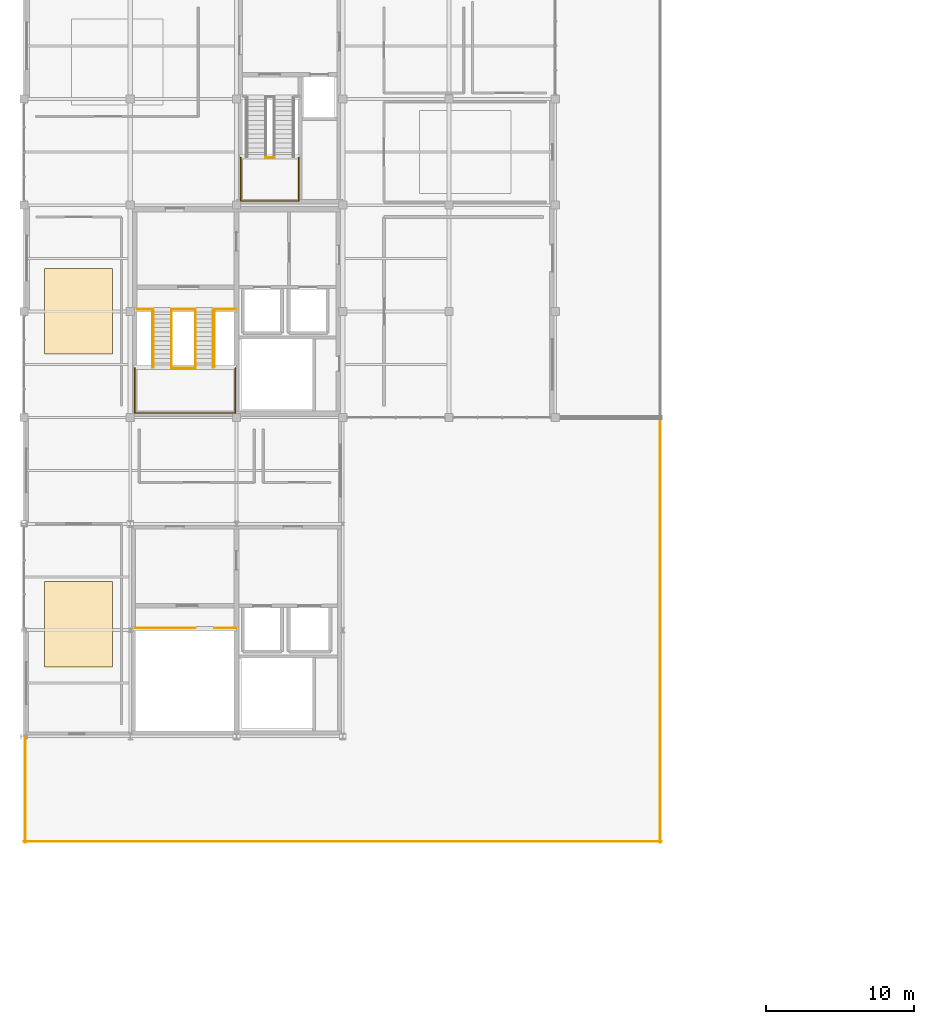
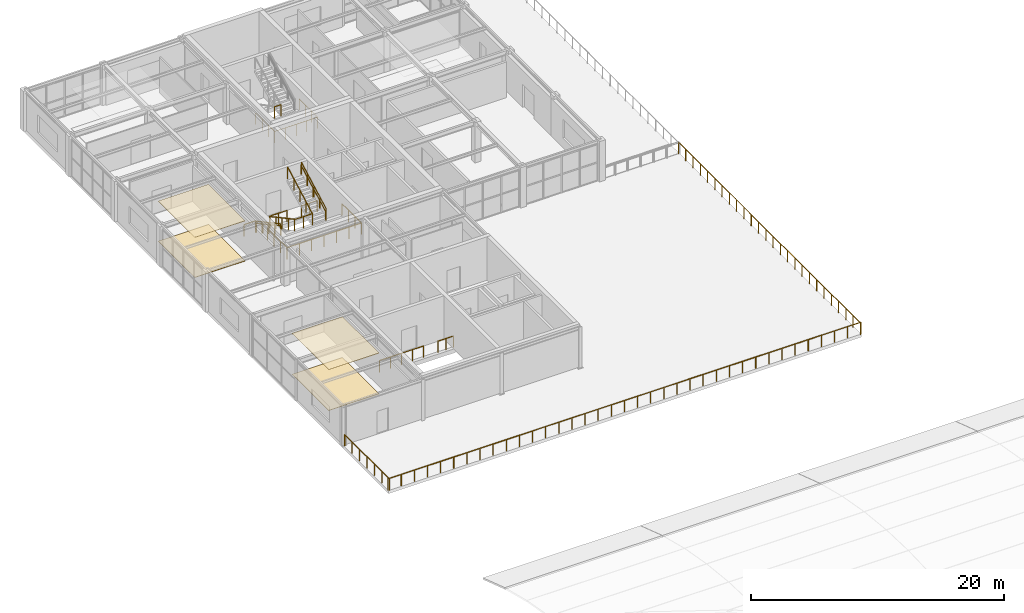
# One storey, part 27 of 30: 18 railings, 4 coverings.
"""IFC4 building model written with IfcOpenShell, lengths in metres."""

import ifcopenshell
import ifcopenshell.guid

model = None  # the IFC model being written
_history = None  # IfcOwnerHistory: only IFC2X3 demands one
_inside = {}  # id of a spatial element -> (the spatial element, [elements in it])
_under = {}  # id of a project, library or spatial element -> (it, [spatial elements below it])
_declared = {}  # id of a project -> (the project, [libraries it declares])
_typed = {}  # id of a type object -> (the type object, [elements of that type])
_made_of = {}  # id of a material, layer set ... -> (it, [elements and type objects made of it])


def new_model(schema):
    """Start an empty IFC model of exactly this schema.

    Asked for "IFC4X3", IfcOpenShell would pick the latest addendum, in which some entities
    have other attributes; the version numbers below select the first issue.
    IFC2X3 requires an IfcOwnerHistory on every rooted entity: one is made here for all.
    """
    global model, _history
    if schema == "IFC4X3":
        model = ifcopenshell.file(schema_version=(4, 3, 0, 0))
    else:
        model = ifcopenshell.file(schema=schema)
    _inside.clear()
    _under.clear()
    _declared.clear()
    _typed.clear()
    _made_of.clear()
    _history = None
    if model.schema == "IFC2X3":
        org = make("IfcOrganization", Name="unknown")
        user = make(
            "IfcPersonAndOrganization",
            ThePerson=make("IfcPerson", FamilyName="unknown"),
            TheOrganization=org,
        )
        app = make(
            "IfcApplication",
            ApplicationDeveloper=org,
            Version="unknown",
            ApplicationFullName="unknown",
            ApplicationIdentifier="unknown",
        )
        _history = make(
            "IfcOwnerHistory",
            OwningUser=user,
            OwningApplication=app,
            ChangeAction="ADDED",
            CreationDate=0,
        )
    return model


def make(cls, **values):
    """One entity of the class cls with the attributes given. An attribute that is None is left unset."""
    return model.create_entity(
        cls, **{name: value for name, value in values.items() if value is not None}
    )


def rooted(cls, **values):
    """An entity with a GlobalId (a new one), such as an element, a storey or a relation."""
    return make(cls, GlobalId=ifcopenshell.guid.new(), OwnerHistory=_history, **values)


def si_unit(unit_type, name, prefix=None):
    """IfcSIUnit, for example si_unit("LENGTHUNIT", "METRE", prefix="MILLI")."""
    return make("IfcSIUnit", UnitType=unit_type, Prefix=prefix, Name=name)


def assignment(units):
    """IfcUnitAssignment: the units of a project."""
    return None if units is None else make("IfcUnitAssignment", Units=units)


def point(xyz):
    """IfcCartesianPoint."""
    return None if xyz is None else make("IfcCartesianPoint", Coordinates=xyz)


def direction(xyz):
    """IfcDirection."""
    return None if xyz is None else make("IfcDirection", DirectionRatios=xyz)


def frame(location, z_axis=None, x_axis=None):
    """IfcAxis2Placement3D, a coordinate frame: its origin and axes. An axis left out is left unset."""
    return make(
        "IfcAxis2Placement3D",
        Location=point(location),
        Axis=direction(z_axis),
        RefDirection=direction(x_axis),
    )


def frame_2d(location, x_axis=None):
    """IfcAxis2Placement2D, a coordinate frame in the plane: its origin and x axis."""
    return make(
        "IfcAxis2Placement2D", Location=point(location), RefDirection=direction(x_axis)
    )


def origin():
    """The frame at (0, 0, 0) with its axes left unset."""
    return frame((0.0, 0.0, 0.0))


def origin_2d():
    """The frame at (0, 0) in the plane with its x axis left unset."""
    return frame_2d((0.0, 0.0))


def place(relative_to, where):
    """IfcLocalPlacement: puts the frame where relative to a parent placement (None: the world)."""
    return make(
        "IfcLocalPlacement", PlacementRelTo=relative_to, RelativePlacement=where
    )


def context(
    kind, dimensions, precision=None, world=None, true_north=None, identifier=None
):
    """IfcGeometricRepresentationContext, for example the 3D "Model" context."""
    return make(
        "IfcGeometricRepresentationContext",
        ContextIdentifier=identifier,
        ContextType=kind,
        CoordinateSpaceDimension=dimensions,
        Precision=precision,
        WorldCoordinateSystem=world,
        TrueNorth=true_north,
    )


def subcontext(parent, identifier, kind, view, scale=None):
    """IfcGeometricRepresentationSubContext, for example "Body" below "Model"."""
    return make(
        "IfcGeometricRepresentationSubContext",
        ContextIdentifier=identifier,
        ContextType=kind,
        ParentContext=parent,
        TargetScale=scale,
        TargetView=view,
    )


def project(units=None, contexts=None):
    """IfcProject with its units and contexts."""
    return rooted(
        "IfcProject",
        Name="project",
        RepresentationContexts=contexts,
        UnitsInContext=assignment(units),
    )


def spatial(cls, under=None, at=None, **own):
    """A site, building, storey or space (cls), placed at a placement, below another one or the project."""
    s = rooted(cls, ObjectPlacement=at, **own)
    if under is not None:
        _under.setdefault(under.id(), (under, []))[1].append(s)
    return s


def profile(cls, at=None, kind="AREA", **sizes):
    """A parametric profile (cls). Its sizes go by their IFC names, for example OverallWidth=200.0."""
    return make(cls, ProfileType=kind, Position=at, **sizes)


def rectangle(**sizes):
    """IfcRectangleProfileDef."""
    return profile("IfcRectangleProfileDef", **sizes)


def circle(**sizes):
    """IfcCircleProfileDef."""
    return profile("IfcCircleProfileDef", **sizes)


def extrude(swept, where, along, depth):
    """IfcExtrudedAreaSolid: the profile swept, set in the frame where, extruded along a direction by depth."""
    return make(
        "IfcExtrudedAreaSolid",
        SweptArea=swept,
        Position=where,
        ExtrudedDirection=direction(along),
        Depth=depth,
    )


def shape(context_of_items, identifier, shape_type, items):
    """IfcShapeRepresentation: the items that make up one representation, for example the "Body"."""
    return make(
        "IfcShapeRepresentation",
        ContextOfItems=context_of_items,
        RepresentationIdentifier=identifier,
        RepresentationType=shape_type,
        Items=items,
    )


def material(Name=None, Category=None):
    """IfcMaterial."""
    return make("IfcMaterial", Name=Name, Category=Category)


def layer(
    of_material, thickness, ventilated=None, Name=None, Category=None, Priority=None
):
    """IfcMaterialLayer: one layer of a wall or slab, of a material (None: an air gap)."""
    return make(
        "IfcMaterialLayer",
        Material=of_material,
        LayerThickness=thickness,
        IsVentilated=ventilated,
        Name=Name,
        Category=Category,
        Priority=Priority,
    )


def layer_set(layers, Name=None):
    """IfcMaterialLayerSet."""
    return make("IfcMaterialLayerSet", MaterialLayers=layers, LayerSetName=Name)


def made_of(thing, what):
    """Note that an element or type object is made of a material, layer set ...; save() writes the relation."""
    if what is not None:
        _made_of.setdefault(what.id(), (what, []))[1].append(thing)
    return thing


def type_object(cls, material=None, **own):
    """A type object (cls), such as IfcWallType, which elements share."""
    return made_of(rooted(cls, **own), material)


def element(
    cls,
    number,
    at=None,
    inside=None,
    cuts=None,
    type_object=None,
    material=None,
    context=None,
    identifier="Body",
    shape_type=None,
    held_by="IfcProductDefinitionShape",
    body=None,
    shapes=None,
    **own,
):
    """One element of the class cls, such as IfcWall. Its Tag is "e" and its number.

    at: its placement. inside: the storey or other place that contains it. cuts: it is an
    opening in that element (IfcRelVoidsElement). A single representation is given by context,
    identifier, shape_type and body (its items); several are given by shapes. held_by: the class
    of the entity that holds the representations. save() writes the other relations.
    """
    e = rooted(cls, Tag="e%d" % number, ObjectPlacement=at, **own)
    if body is not None:
        shapes = [shape(context, identifier, shape_type, body)]
    if shapes is not None:
        e.Representation = make(held_by, Representations=shapes)
    if inside is not None:
        _inside.setdefault(inside.id(), (inside, []))[1].append(e)
    if cuts is not None:
        rooted(
            "IfcRelVoidsElement", RelatingBuildingElement=cuts, RelatedOpeningElement=e
        )
    if type_object is not None:
        _typed.setdefault(type_object.id(), (type_object, []))[1].append(e)
    return made_of(e, material)


def aggregate(whole, parts):
    """IfcRelAggregates: a whole, such as a stair, and the parts it consists of."""
    return rooted("IfcRelAggregates", RelatingObject=whole, RelatedObjects=parts)


def save(model, path):
    """Write the relations noted so far, then the file.

    IfcRelAggregates (storeys below a building ...), IfcRelContainedInSpatialStructure (elements
    in a storey), IfcRelDefinesByType, IfcRelAssociatesMaterial and IfcRelDeclares: one each for
    every whole, place, type object, material and project.
    """
    for whole, parts in _under.values():
        aggregate(whole, parts)
    for where, things in _inside.values():
        rooted(
            "IfcRelContainedInSpatialStructure",
            RelatedElements=things,
            RelatingStructure=where,
        )
    for kind, things in _typed.values():
        rooted("IfcRelDefinesByType", RelatedObjects=things, RelatingType=kind)
    for what, things in _made_of.values():
        rooted("IfcRelAssociatesMaterial", RelatedObjects=things, RelatingMaterial=what)
    for by, libraries in _declared.values():
        rooted("IfcRelDeclares", RelatingContext=by, RelatedDefinitions=libraries)
    model.write(path)


model = new_model("IFC4")

# Units and contexts
model_context = context("Model", 3, precision=1e-05, world=origin(), true_north=direction((0.0, 1.0)))
body_context = subcontext(model_context, "Body", "Model", "MODEL_VIEW")
ifc_project = project(units=[si_unit("LENGTHUNIT", "METRE"), si_unit("AREAUNIT", "SQUARE_METRE"), si_unit("VOLUMEUNIT", "CUBIC_METRE"), si_unit("PLANEANGLEUNIT", "RADIAN"), si_unit("MASSUNIT", "GRAM", prefix="KILO")], contexts=[model_context])

# Site, building, storey
site_placement = place(None, origin())
site = spatial("IfcSite", under=ifc_project, at=site_placement, CompositionType="ELEMENT")
building_placement = place(site_placement, origin())
building = spatial("IfcBuilding", under=site, at=building_placement, Name="Leyfeld Transit Interchange", CompositionType="ELEMENT")
storey_placement = place(building_placement, frame((0.0, 0.0, 13.800048828125)))
storey = spatial("IfcBuildingStorey", under=building, at=storey_placement, Name="L03", CompositionType="ELEMENT", Elevation=13.800048828125)

# Coverings
ifc_material_1 = material(Name="Austrian larch acoustic slat ceiling", Category="wood")
ifc_layer_1 = layer(ifc_material_1, 0.0400390625, Name="Austrian larch acoustic slat ceiling")
ifc_layer_set_1 = layer_set([ifc_layer_1], Name="Austrian larch acoustic slat ceiling")
covering_type_1 = type_object("IfcCoveringType", Name="COV-CLG-LRC", PredefinedType="CEILING", material=ifc_layer_set_1)
for number, where, z_axis, x_axis, name in (
    (1, (3.699951171875, 79.60009765625, 3.94482421875), (0.0, 0.0, 1.0), (1.0, 0.0, 0.0), "Acoustic Slat Ceiling Cycle Garden Conservatory Lounge"),
    (2, (3.699951171875, 100.800048828125, 3.864990234375), (0.0, 0.0, 1.0), (1.0, 0.0, 0.0), "Acoustic Slat Ceiling Incident Gold-Command Briefing Room"),
):
    element("IfcCovering", number, at=place(storey_placement, frame(where, z_axis=z_axis, x_axis=x_axis)), inside=storey, type_object=covering_type_1, Name=name, PredefinedType="CEILING", context=body_context, shape_type="SweptSolid", body=[
        extrude(rectangle(XDim=4.60009765625, YDim=5.800048828125, at=origin_2d()), origin(), (0.0, 0.0, 1.0), 0.0400390625),
    ])
ifc_material_2 = material(Name="Polished Danube terrazzo flooring", Category="stone")
ifc_layer_2 = layer(ifc_material_2, 0.030029296875, Name="Polished Danube terrazzo flooring")
ifc_layer_set_2 = layer_set([ifc_layer_2], Name="Polished Danube terrazzo flooring")
covering_type_2 = type_object("IfcCoveringType", Name="COV-FLR-TRZ", PredefinedType="FLOORING", material=ifc_layer_set_2)
for number, where, z_axis, x_axis, name in (
    (3, (3.699951171875, 79.60009765625, 0.0), (0.0, 0.0, 1.0), (1.0, 0.0, 0.0), "Terrazzo Flooring Cycle Garden Conservatory Lounge"),
    (4, (3.699951171875, 100.800048828125, 0.0), (0.0, 0.0, 1.0), (1.0, 0.0, 0.0), "Terrazzo Flooring Incident Gold-Command Briefing Room"),
):
    element("IfcCovering", number, at=place(storey_placement, frame(where, z_axis=z_axis, x_axis=x_axis)), inside=storey, type_object=covering_type_2, Name=name, PredefinedType="FLOORING", context=body_context, shape_type="SweptSolid", body=[
        extrude(rectangle(XDim=4.60009765625, YDim=5.800048828125, at=origin_2d()), origin(), (0.0, 0.0, 1.0), 0.030029296875),
    ])

# Railings
ifc_material_3 = material(Name="Stainless steel EN 1.4404", Category="steel")
railing_type_1 = type_object("IfcRailingType", Name="RL-BAL-1100", PredefinedType="BALUSTRADE", material=ifc_material_3)
railing_1_placement = place(storey_placement, frame((43.1201171875, 93.60009765625, 0.0)))
element("IfcRailing", 5, at=railing_1_placement, inside=storey, type_object=railing_type_1, Name="Terrace Balustrade L03 003", PredefinedType="BALUSTRADE", context=body_context, shape_type="SweptSolid", body=[
    extrude(circle(Radius=0.02392578125, at=origin_2d()), frame((0.0, 0.0, 1.09619140625), z_axis=(0.0, -1.0, 0.0), x_axis=(1.0, 0.0, 0.0)), (0.0, 0.0, 1.0), 28.800048828125),
    extrude(circle(Radius=0.02099609375, at=origin_2d()), origin(), (0.0, 0.0, 1.0), 1.072021484375),
    extrude(circle(Radius=0.02099609375, at=origin_2d()), frame((0.0, -1.152099609375, 0.0)), (0.0, 0.0, 1.0), 1.072021484375),
    extrude(circle(Radius=0.02099609375, at=origin_2d()), frame((0.0, -2.303955078125, 0.0)), (0.0, 0.0, 1.0), 1.072021484375),
    extrude(circle(Radius=0.02099609375, at=origin_2d()), frame((0.0, -3.4560546875, 0.0)), (0.0, 0.0, 1.0), 1.072021484375),
    extrude(circle(Radius=0.02099609375, at=origin_2d()), frame((0.0, -4.60791015625, 0.0)), (0.0, 0.0, 1.0), 1.072021484375),
    extrude(circle(Radius=0.02099609375, at=origin_2d()), frame((0.0, -5.760009765625, 0.0)), (0.0, 0.0, 1.0), 1.072021484375),
    extrude(circle(Radius=0.02099609375, at=origin_2d()), frame((0.0, -6.912109375, 0.0)), (0.0, 0.0, 1.0), 1.072021484375),
    extrude(circle(Radius=0.02099609375, at=origin_2d()), frame((0.0, -8.06396484375, 0.0)), (0.0, 0.0, 1.0), 1.072021484375),
    extrude(circle(Radius=0.02099609375, at=origin_2d()), frame((0.0, -9.216064453125, 0.0)), (0.0, 0.0, 1.0), 1.072021484375),
    extrude(circle(Radius=0.02099609375, at=origin_2d()), frame((0.0, -10.367919921875, 0.0)), (0.0, 0.0, 1.0), 1.072021484375),
    extrude(circle(Radius=0.02099609375, at=origin_2d()), frame((0.0, -11.52001953125, 0.0)), (0.0, 0.0, 1.0), 1.072021484375),
    extrude(circle(Radius=0.02099609375, at=origin_2d()), frame((0.0, -12.672119140625, 0.0)), (0.0, 0.0, 1.0), 1.072021484375),
    extrude(circle(Radius=0.02099609375, at=origin_2d()), frame((0.0, -13.823974609375, 0.0)), (0.0, 0.0, 1.0), 1.072021484375),
    extrude(circle(Radius=0.02099609375, at=origin_2d()), frame((0.0, -14.97607421875, 0.0)), (0.0, 0.0, 1.0), 1.072021484375),
    extrude(circle(Radius=0.02099609375, at=origin_2d()), frame((0.0, -16.1279296875, 0.0)), (0.0, 0.0, 1.0), 1.072021484375),
    extrude(circle(Radius=0.02099609375, at=origin_2d()), frame((0.0, -17.280029296875, 0.0)), (0.0, 0.0, 1.0), 1.072021484375),
    extrude(circle(Radius=0.02099609375, at=origin_2d()), frame((0.0, -18.43212890625, 0.0)), (0.0, 0.0, 1.0), 1.072021484375),
    extrude(circle(Radius=0.02099609375, at=origin_2d()), frame((0.0, -19.583984375, 0.0)), (0.0, 0.0, 1.0), 1.072021484375),
    extrude(circle(Radius=0.02099609375, at=origin_2d()), frame((0.0, -20.736083984375, 0.0)), (0.0, 0.0, 1.0), 1.072021484375),
    extrude(circle(Radius=0.02099609375, at=origin_2d()), frame((0.0, -21.887939453125, 0.0)), (0.0, 0.0, 1.0), 1.072021484375),
    extrude(circle(Radius=0.02099609375, at=origin_2d()), frame((0.0, -23.0400390625, 0.0)), (0.0, 0.0, 1.0), 1.072021484375),
    extrude(circle(Radius=0.02099609375, at=origin_2d()), frame((0.0, -24.192138671875, 0.0)), (0.0, 0.0, 1.0), 1.072021484375),
    extrude(circle(Radius=0.02099609375, at=origin_2d()), frame((0.0, -25.343994140625, 0.0)), (0.0, 0.0, 1.0), 1.072021484375),
    extrude(circle(Radius=0.02099609375, at=origin_2d()), frame((0.0, -26.49609375, 0.0)), (0.0, 0.0, 1.0), 1.072021484375),
    extrude(circle(Radius=0.02099609375, at=origin_2d()), frame((0.0, -27.64794921875, 0.0)), (0.0, 0.0, 1.0), 1.072021484375),
    extrude(circle(Radius=0.02099609375, at=origin_2d()), frame((0.0, -28.800048828125, 0.0)), (0.0, 0.0, 1.0), 1.072021484375),
])
railing_2_placement = place(storey_placement, frame((43.199951171875, 64.8798828125, 0.0)))
element("IfcRailing", 6, at=railing_2_placement, inside=storey, type_object=railing_type_1, Name="Terrace Balustrade L03 004", PredefinedType="BALUSTRADE", context=body_context, shape_type="SweptSolid", body=[
    extrude(circle(Radius=0.02392578125, at=origin_2d()), frame((0.0, 0.0, 1.09619140625), z_axis=(-1.0, 0.0, 0.0), x_axis=(0.0, -1.0, 0.0)), (0.0, 0.0, 1.0), 43.199951171875),
    extrude(circle(Radius=0.02099609375, at=origin_2d()), origin(), (0.0, 0.0, 1.0), 1.072021484375),
    extrude(circle(Radius=0.02099609375, at=origin_2d()), frame((-1.199951171875, 0.0, 0.0)), (0.0, 0.0, 1.0), 1.072021484375),
    extrude(circle(Radius=0.02099609375, at=origin_2d()), frame((-2.39990234375, 0.0, 0.0)), (0.0, 0.0, 1.0), 1.072021484375),
    extrude(circle(Radius=0.02099609375, at=origin_2d()), frame((-3.60009765625, 0.0, 0.0)), (0.0, 0.0, 1.0), 1.072021484375),
    extrude(circle(Radius=0.02099609375, at=origin_2d()), frame((-4.800048828125, 0.0, 0.0)), (0.0, 0.0, 1.0), 1.072021484375),
    extrude(circle(Radius=0.02099609375, at=origin_2d()), frame((-6.0, 0.0, 0.0)), (0.0, 0.0, 1.0), 1.072021484375),
    extrude(circle(Radius=0.02099609375, at=origin_2d()), frame((-7.199951171875, 0.0, 0.0)), (0.0, 0.0, 1.0), 1.072021484375),
    extrude(circle(Radius=0.02099609375, at=origin_2d()), frame((-8.39990234375, 0.0, 0.0)), (0.0, 0.0, 1.0), 1.072021484375),
    extrude(circle(Radius=0.02099609375, at=origin_2d()), frame((-9.60009765625, 0.0, 0.0)), (0.0, 0.0, 1.0), 1.072021484375),
    extrude(circle(Radius=0.02099609375, at=origin_2d()), frame((-10.800048828125, 0.0, 0.0)), (0.0, 0.0, 1.0), 1.072021484375),
    extrude(circle(Radius=0.02099609375, at=origin_2d()), frame((-12.0, 0.0, 0.0)), (0.0, 0.0, 1.0), 1.072021484375),
    extrude(circle(Radius=0.02099609375, at=origin_2d()), frame((-13.199951171875, 0.0, 0.0)), (0.0, 0.0, 1.0), 1.072021484375),
    extrude(circle(Radius=0.02099609375, at=origin_2d()), frame((-14.39990234375, 0.0, 0.0)), (0.0, 0.0, 1.0), 1.072021484375),
    extrude(circle(Radius=0.02099609375, at=origin_2d()), frame((-15.60009765625, 0.0, 0.0)), (0.0, 0.0, 1.0), 1.072021484375),
    extrude(circle(Radius=0.02099609375, at=origin_2d()), frame((-16.800048828125, 0.0, 0.0)), (0.0, 0.0, 1.0), 1.072021484375),
    extrude(circle(Radius=0.02099609375, at=origin_2d()), frame((-18.0, 0.0, 0.0)), (0.0, 0.0, 1.0), 1.072021484375),
    extrude(circle(Radius=0.02099609375, at=origin_2d()), frame((-19.199951171875, 0.0, 0.0)), (0.0, 0.0, 1.0), 1.072021484375),
    extrude(circle(Radius=0.02099609375, at=origin_2d()), frame((-20.39990234375, 0.0, 0.0)), (0.0, 0.0, 1.0), 1.072021484375),
    extrude(circle(Radius=0.02099609375, at=origin_2d()), frame((-21.60009765625, 0.0, 0.0)), (0.0, 0.0, 1.0), 1.072021484375),
    extrude(circle(Radius=0.02099609375, at=origin_2d()), frame((-22.800048828125, 0.0, 0.0)), (0.0, 0.0, 1.0), 1.072021484375),
    extrude(circle(Radius=0.02099609375, at=origin_2d()), frame((-24.0, 0.0, 0.0)), (0.0, 0.0, 1.0), 1.072021484375),
    extrude(circle(Radius=0.02099609375, at=origin_2d()), frame((-25.199951171875, 0.0, 0.0)), (0.0, 0.0, 1.0), 1.072021484375),
    extrude(circle(Radius=0.02099609375, at=origin_2d()), frame((-26.39990234375, 0.0, 0.0)), (0.0, 0.0, 1.0), 1.072021484375),
    extrude(circle(Radius=0.02099609375, at=origin_2d()), frame((-27.599853515625, 0.0, 0.0)), (0.0, 0.0, 1.0), 1.072021484375),
    extrude(circle(Radius=0.02099609375, at=origin_2d()), frame((-28.800048828125, 0.0, 0.0)), (0.0, 0.0, 1.0), 1.072021484375),
    extrude(circle(Radius=0.02099609375, at=origin_2d()), frame((-30.0, 0.0, 0.0)), (0.0, 0.0, 1.0), 1.072021484375),
    extrude(circle(Radius=0.02099609375, at=origin_2d()), frame((-31.199951171875, 0.0, 0.0)), (0.0, 0.0, 1.0), 1.072021484375),
    extrude(circle(Radius=0.02099609375, at=origin_2d()), frame((-32.39990234375, 0.0, 0.0)), (0.0, 0.0, 1.0), 1.072021484375),
    extrude(circle(Radius=0.02099609375, at=origin_2d()), frame((-33.599853515625, 0.0, 0.0)), (0.0, 0.0, 1.0), 1.072021484375),
    extrude(circle(Radius=0.02099609375, at=origin_2d()), frame((-34.800048828125, 0.0, 0.0)), (0.0, 0.0, 1.0), 1.072021484375),
    extrude(circle(Radius=0.02099609375, at=origin_2d()), frame((-36.0, 0.0, 0.0)), (0.0, 0.0, 1.0), 1.072021484375),
    extrude(circle(Radius=0.02099609375, at=origin_2d()), frame((-37.199951171875, 0.0, 0.0)), (0.0, 0.0, 1.0), 1.072021484375),
    extrude(circle(Radius=0.02099609375, at=origin_2d()), frame((-38.39990234375, 0.0, 0.0)), (0.0, 0.0, 1.0), 1.072021484375),
    extrude(circle(Radius=0.02099609375, at=origin_2d()), frame((-39.599853515625, 0.0, 0.0)), (0.0, 0.0, 1.0), 1.072021484375),
    extrude(circle(Radius=0.02099609375, at=origin_2d()), frame((-40.800048828125, 0.0, 0.0)), (0.0, 0.0, 1.0), 1.072021484375),
    extrude(circle(Radius=0.02099609375, at=origin_2d()), frame((-42.0, 0.0, 0.0)), (0.0, 0.0, 1.0), 1.072021484375),
    extrude(circle(Radius=0.02099609375, at=origin_2d()), frame((-43.199951171875, 0.0, 0.0)), (0.0, 0.0, 1.0), 1.072021484375),
])
railing_3_placement = place(storey_placement, frame((0.080078125, 64.800048828125, 0.0)))
element("IfcRailing", 7, at=railing_3_placement, inside=storey, type_object=railing_type_1, Name="Terrace Balustrade L03 005", PredefinedType="BALUSTRADE", context=body_context, shape_type="SweptSolid", body=[
    extrude(circle(Radius=0.02392578125, at=origin_2d()), frame((0.0, 0.0, 1.09619140625), z_axis=(0.0, 1.0, 0.0), x_axis=(-1.0, 0.0, 0.0)), (0.0, 0.0, 1.0), 7.079833984375),
    extrude(circle(Radius=0.02099609375, at=origin_2d()), origin(), (0.0, 0.0, 1.0), 1.072021484375),
    extrude(circle(Radius=0.02099609375, at=origin_2d()), frame((0.0, 1.179931640625, 0.0)), (0.0, 0.0, 1.0), 1.072021484375),
    extrude(circle(Radius=0.02099609375, at=origin_2d()), frame((0.0, 2.35986328125, 0.0)), (0.0, 0.0, 1.0), 1.072021484375),
    extrude(circle(Radius=0.02099609375, at=origin_2d()), frame((0.0, 3.5400390625, 0.0)), (0.0, 0.0, 1.0), 1.072021484375),
    extrude(circle(Radius=0.02099609375, at=origin_2d()), frame((0.0, 4.719970703125, 0.0)), (0.0, 0.0, 1.0), 1.072021484375),
    extrude(circle(Radius=0.02099609375, at=origin_2d()), frame((0.0, 5.89990234375, 0.0)), (0.0, 0.0, 1.0), 1.072021484375),
    extrude(circle(Radius=0.02099609375, at=origin_2d()), frame((0.0, 7.079833984375, 0.0)), (0.0, 0.0, 1.0), 1.072021484375),
])
railing_type_2 = type_object("IfcRailingType", Name="RL-STR-GRD-1100", PredefinedType="GUARDRAIL", material=ifc_material_3)
railing_4_placement = place(storey_placement, frame((7.669921875, 100.949951171875, 0.0)))
element("IfcRailing", 8, at=railing_4_placement, inside=storey, type_object=railing_type_2, Name="Stair ST-01 Landing Guard FLW L03", PredefinedType="GUARDRAIL", context=body_context, shape_type="SweptSolid", body=[
    extrude(circle(Radius=0.02392578125, at=origin_2d()), frame((0.0, 0.0, 1.09619140625), z_axis=(1.0, 0.0, 0.0), x_axis=(0.0, 1.0, 0.0)), (0.0, 0.0, 1.0), 1.030029296875),
    extrude(circle(Radius=0.02099609375, at=origin_2d()), origin(), (0.0, 0.0, 1.0), 1.072021484375),
    extrude(circle(Radius=0.02099609375, at=origin_2d()), frame((1.030029296875, 0.0, 0.0)), (0.0, 0.0, 1.0), 1.072021484375),
])
railing_5_placement = place(storey_placement, frame((10.0, 100.949951171875, 0.0)))
element("IfcRailing", 9, at=railing_5_placement, inside=storey, type_object=railing_type_2, Name="Stair ST-01 Landing Guard EYE L03", PredefinedType="GUARDRAIL", context=body_context, shape_type="SweptSolid", body=[
    extrude(circle(Radius=0.02392578125, at=origin_2d()), frame((0.0, 0.0, 1.09619140625), z_axis=(1.0, 0.0, 0.0), x_axis=(0.0, 1.0, 0.0)), (0.0, 0.0, 1.0), 1.60009765625),
    extrude(circle(Radius=0.02099609375, at=origin_2d()), origin(), (0.0, 0.0, 1.0), 1.072021484375),
    extrude(circle(Radius=0.02099609375, at=origin_2d()), frame((0.800048828125, 0.0, 0.0)), (0.0, 0.0, 1.0), 1.072021484375),
    extrude(circle(Radius=0.02099609375, at=origin_2d()), frame((1.60009765625, 0.0, 0.0)), (0.0, 0.0, 1.0), 1.072021484375),
])
railing_6_placement = place(storey_placement, frame((12.89990234375, 100.949951171875, 0.0)))
element("IfcRailing", 10, at=railing_6_placement, inside=storey, type_object=railing_type_2, Name="Stair ST-01 Landing Guard FLE L03", PredefinedType="GUARDRAIL", context=body_context, shape_type="SweptSolid", body=[
    extrude(circle(Radius=0.02392578125, at=origin_2d()), frame((0.0, 0.0, 1.09619140625), z_axis=(1.0, 0.0, 0.0), x_axis=(0.0, 1.0, 0.0)), (0.0, 0.0, 1.0), 1.4501953125),
    extrude(circle(Radius=0.02099609375, at=origin_2d()), origin(), (0.0, 0.0, 1.0), 1.072021484375),
    extrude(circle(Radius=0.02099609375, at=origin_2d()), frame((0.72509765625, 0.0, 0.0)), (0.0, 0.0, 1.0), 1.072021484375),
    extrude(circle(Radius=0.02099609375, at=origin_2d()), frame((1.4501953125, 0.0, 0.0)), (0.0, 0.0, 1.0), 1.072021484375),
])
railing_7_placement = place(storey_placement, frame((9.985107421875, 96.9599609375, 2.099853515625)))
element("IfcRailing", 11, at=railing_7_placement, inside=storey, type_object=railing_type_2, Name="Stair ST-01 L03 Half-Landing Inner Guard", PredefinedType="GUARDRAIL", context=body_context, shape_type="SweptSolid", body=[
    extrude(circle(Radius=0.02392578125, at=origin_2d()), frame((0.0, 0.0, 1.09619140625), z_axis=(1.0, 0.0, 0.0), x_axis=(0.0, 1.0, 0.0)), (0.0, 0.0, 1.0), 1.6298828125),
    extrude(circle(Radius=0.02099609375, at=origin_2d()), origin(), (0.0, 0.0, 1.0), 1.072021484375),
    extrude(circle(Radius=0.02099609375, at=origin_2d()), frame((0.81494140625, 0.0, 0.0)), (0.0, 0.0, 1.0), 1.072021484375),
    extrude(circle(Radius=0.02099609375, at=origin_2d()), frame((1.6298828125, 0.0, 0.0)), (0.0, 0.0, 1.0), 1.072021484375),
])
railing_8_placement = place(storey_placement, frame((7.5048828125, 96.9599609375, 2.099853515625)))
element("IfcRailing", 12, at=railing_8_placement, inside=storey, type_object=railing_type_2, Name="Stair ST-01 L03 Half-Landing Perimeter Guard", PredefinedType="GUARDRAIL", context=body_context, shape_type="SweptSolid", body=[
    extrude(circle(Radius=0.02392578125, at=origin_2d()), frame((0.0, 0.0, 1.09619140625), z_axis=(0.0, -1.0, 0.0), x_axis=(1.0, 0.0, 0.0)), (0.0, 0.0, 1.0), 3.054931640625),
    extrude(circle(Radius=0.02392578125, at=origin_2d()), frame((0.0, -3.054931640625, 1.09619140625), z_axis=(1.0, 0.0, 0.0), x_axis=(0.0, 1.0, 0.0)), (0.0, 0.0, 1.0), 6.815185546875),
    extrude(circle(Radius=0.02392578125, at=origin_2d()), frame((6.815185546875, -3.054931640625, 1.09619140625), z_axis=(0.0, 1.0, 0.0), x_axis=(-1.0, 0.0, 0.0)), (0.0, 0.0, 1.0), 3.054931640625),
    extrude(circle(Radius=0.02099609375, at=origin_2d()), origin(), (0.0, 0.0, 1.0), 1.072021484375),
    extrude(circle(Radius=0.02099609375, at=origin_2d()), frame((0.0, -1.018310546875, 0.0)), (0.0, 0.0, 1.0), 1.072021484375),
    extrude(circle(Radius=0.02099609375, at=origin_2d()), frame((0.0, -2.03662109375, 0.0)), (0.0, 0.0, 1.0), 1.072021484375),
    extrude(circle(Radius=0.02099609375, at=origin_2d()), frame((0.0, -3.054931640625, 0.0)), (0.0, 0.0, 1.0), 1.072021484375),
    extrude(circle(Radius=0.02099609375, at=origin_2d()), frame((1.1357421875, -3.054931640625, 0.0)), (0.0, 0.0, 1.0), 1.072021484375),
    extrude(circle(Radius=0.02099609375, at=origin_2d()), frame((2.271728515625, -3.054931640625, 0.0)), (0.0, 0.0, 1.0), 1.072021484375),
    extrude(circle(Radius=0.02099609375, at=origin_2d()), frame((3.40771484375, -3.054931640625, 0.0)), (0.0, 0.0, 1.0), 1.072021484375),
    extrude(circle(Radius=0.02099609375, at=origin_2d()), frame((4.54345703125, -3.054931640625, 0.0)), (0.0, 0.0, 1.0), 1.072021484375),
    extrude(circle(Radius=0.02099609375, at=origin_2d()), frame((5.67919921875, -3.054931640625, 0.0)), (0.0, 0.0, 1.0), 1.072021484375),
    extrude(circle(Radius=0.02099609375, at=origin_2d()), frame((6.815185546875, -3.054931640625, 0.0)), (0.0, 0.0, 1.0), 1.072021484375),
    extrude(circle(Radius=0.02099609375, at=origin_2d()), frame((6.815185546875, -2.03662109375, 0.0)), (0.0, 0.0, 1.0), 1.072021484375),
    extrude(circle(Radius=0.02099609375, at=origin_2d()), frame((6.815185546875, -1.018310546875, 0.0)), (0.0, 0.0, 1.0), 1.072021484375),
    extrude(circle(Radius=0.02099609375, at=origin_2d()), frame((6.815185546875, 0.0, 0.0)), (0.0, 0.0, 1.0), 1.072021484375),
])
for number, where, name in (
    (13, (9.985107421875, 100.89990234375, 0.0), "Stair ST-01 L03 F1 Inner Guard"),
    (14, (8.715087890625, 100.89990234375, 0.0), "Stair ST-01 L03 F1 Outer Guard"),
):
    element("IfcRailing", number, at=place(storey_placement, frame(where)), inside=storey, type_object=railing_type_2, Name=name, PredefinedType="GUARDRAIL", context=body_context, shape_type="SweptSolid", body=[
        extrude(circle(Radius=0.02392578125, at=origin_2d()), frame((0.0, 0.0, 1.09619140625), z_axis=(0.0, -0.88047994924, 0.474083388219), x_axis=(1.0, 0.0, 0.0)), (0.0, 0.0, 1.0), 4.42919921875),
        extrude(circle(Radius=0.02099609375, at=origin_2d()), origin(), (0.0, 0.0, 1.0), 1.072021484375),
        extrude(circle(Radius=0.02099609375, at=origin_2d()), frame((0.0, -0.97509765625, 0.52490234375)), (0.0, 0.0, 1.0), 1.072021484375),
        extrude(circle(Radius=0.02099609375, at=origin_2d()), frame((0.0, -1.949951171875, 1.0498046875)), (0.0, 0.0, 1.0), 1.072021484375),
        extrude(circle(Radius=0.02099609375, at=origin_2d()), frame((0.0, -2.9248046875, 1.574951171875)), (0.0, 0.0, 1.0), 1.072021484375),
        extrude(circle(Radius=0.02099609375, at=origin_2d()), frame((0.0, -3.89990234375, 2.099853515625)), (0.0, 0.0, 1.0), 1.072021484375),
    ])
for number, where, name in (
    (15, (11.614990234375, 97.0, 2.099853515625), "Stair ST-01 L03 F2 Inner Guard"),
    (16, (12.885009765625, 97.0, 2.099853515625), "Stair ST-01 L03 F2 Outer Guard"),
):
    element("IfcRailing", number, at=place(storey_placement, frame(where)), inside=storey, type_object=railing_type_2, Name=name, PredefinedType="GUARDRAIL", context=body_context, shape_type="SweptSolid", body=[
        extrude(circle(Radius=0.02392578125, at=origin_2d()), frame((0.0, 0.0, 1.09619140625), z_axis=(0.0, 0.880456940745, 0.474126117709), x_axis=(-1.0, 0.0, 0.0)), (0.0, 0.0, 1.0), 4.429443359375),
        extrude(circle(Radius=0.02099609375, at=origin_2d()), origin(), (0.0, 0.0, 1.0), 1.072021484375),
        extrude(circle(Radius=0.02099609375, at=origin_2d()), frame((0.0, 0.97509765625, 0.52490234375)), (0.0, 0.0, 1.0), 1.072021484375),
        extrude(circle(Radius=0.02099609375, at=origin_2d()), frame((0.0, 1.949951171875, 1.050048828125)), (0.0, 0.0, 1.0), 1.072021484375),
        extrude(circle(Radius=0.02099609375, at=origin_2d()), frame((0.0, 2.9248046875, 1.5751953125)), (0.0, 0.0, 1.0), 1.072021484375),
        extrude(circle(Radius=0.02099609375, at=origin_2d()), frame((0.0, 3.89990234375, 2.10009765625)), (0.0, 0.0, 1.0), 1.072021484375),
    ])
railing_9_placement = place(storey_placement, frame((16.3798828125, 111.22998046875, 2.099853515625)))
element("IfcRailing", 17, at=railing_9_placement, inside=storey, type_object=railing_type_2, Name="Stair ST-02 L03 Half-Landing Inner Guard", PredefinedType="GUARDRAIL", context=body_context, shape_type="SweptSolid", body=[
    extrude(circle(Radius=0.02392578125, at=origin_2d()), frame((0.0, 0.0, 1.09619140625), z_axis=(1.0, 0.0, 0.0), x_axis=(0.0, 1.0, 0.0)), (0.0, 0.0, 1.0), 0.580078125),
    extrude(circle(Radius=0.02099609375, at=origin_2d()), origin(), (0.0, 0.0, 1.0), 1.072021484375),
    extrude(circle(Radius=0.02099609375, at=origin_2d()), frame((0.580078125, 0.0, 0.0)), (0.0, 0.0, 1.0), 1.072021484375),
])
railing_10_placement = place(storey_placement, frame((14.679931640625, 111.22998046875, 2.099853515625)))
element("IfcRailing", 18, at=railing_10_placement, inside=storey, type_object=railing_type_2, Name="Stair ST-02 L03 Half-Landing Perimeter Guard", PredefinedType="GUARDRAIL", context=body_context, shape_type="SweptSolid", body=[
    extrude(circle(Radius=0.02392578125, at=origin_2d()), frame((0.0, 0.0, 1.09619140625), z_axis=(0.0, -1.0, 0.0), x_axis=(1.0, 0.0, 0.0)), (0.0, 0.0, 1.0), 2.949951171875),
    extrude(circle(Radius=0.02392578125, at=origin_2d()), frame((0.0, -2.949951171875, 1.09619140625), z_axis=(1.0, 0.0, 0.0), x_axis=(0.0, 1.0, 0.0)), (0.0, 0.0, 1.0), 3.940185546875),
    extrude(circle(Radius=0.02392578125, at=origin_2d()), frame((3.940185546875, -2.949951171875, 1.09619140625), z_axis=(0.0, 1.0, 0.0), x_axis=(-1.0, 0.0, 0.0)), (0.0, 0.0, 1.0), 2.949951171875),
    extrude(circle(Radius=0.02099609375, at=origin_2d()), origin(), (0.0, 0.0, 1.0), 1.072021484375),
    extrude(circle(Radius=0.02099609375, at=origin_2d()), frame((0.0, -0.9833984375, 0.0)), (0.0, 0.0, 1.0), 1.072021484375),
    extrude(circle(Radius=0.02099609375, at=origin_2d()), frame((0.0, -1.966552734375, 0.0)), (0.0, 0.0, 1.0), 1.072021484375),
    extrude(circle(Radius=0.02099609375, at=origin_2d()), frame((0.0, -2.949951171875, 0.0)), (0.0, 0.0, 1.0), 1.072021484375),
    extrude(circle(Radius=0.02099609375, at=origin_2d()), frame((0.985107421875, -2.949951171875, 0.0)), (0.0, 0.0, 1.0), 1.072021484375),
    extrude(circle(Radius=0.02099609375, at=origin_2d()), frame((1.97021484375, -2.949951171875, 0.0)), (0.0, 0.0, 1.0), 1.072021484375),
    extrude(circle(Radius=0.02099609375, at=origin_2d()), frame((2.955078125, -2.949951171875, 0.0)), (0.0, 0.0, 1.0), 1.072021484375),
    extrude(circle(Radius=0.02099609375, at=origin_2d()), frame((3.940185546875, -2.949951171875, 0.0)), (0.0, 0.0, 1.0), 1.072021484375),
    extrude(circle(Radius=0.02099609375, at=origin_2d()), frame((3.940185546875, -1.966552734375, 0.0)), (0.0, 0.0, 1.0), 1.072021484375),
    extrude(circle(Radius=0.02099609375, at=origin_2d()), frame((3.940185546875, -0.9833984375, 0.0)), (0.0, 0.0, 1.0), 1.072021484375),
    extrude(circle(Radius=0.02099609375, at=origin_2d()), frame((3.940185546875, 0.0, 0.0)), (0.0, 0.0, 1.0), 1.072021484375),
])
railing_11_placement = place(storey_placement, frame((7.570068359375, 79.35009765625, 0.0)))
element("IfcRailing", 19, at=railing_11_placement, inside=storey, type_object=railing_type_2, Name="Stair ST-03 Landing Guard TOPW L03", PredefinedType="GUARDRAIL", context=body_context, shape_type="SweptSolid", body=[
    extrude(circle(Radius=0.02392578125, at=origin_2d()), frame((0.0, 0.0, 1.09619140625), z_axis=(1.0, 0.0, 0.0), x_axis=(0.0, 1.0, 0.0)), (0.0, 0.0, 1.0), 4.030029296875),
    extrude(circle(Radius=0.02099609375, at=origin_2d()), origin(), (0.0, 0.0, 1.0), 1.072021484375),
    extrude(circle(Radius=0.02099609375, at=origin_2d()), frame((1.007568359375, 0.0, 0.0)), (0.0, 0.0, 1.0), 1.072021484375),
    extrude(circle(Radius=0.02099609375, at=origin_2d()), frame((2.01513671875, 0.0, 0.0)), (0.0, 0.0, 1.0), 1.072021484375),
    extrude(circle(Radius=0.02099609375, at=origin_2d()), frame((3.0224609375, 0.0, 0.0)), (0.0, 0.0, 1.0), 1.072021484375),
    extrude(circle(Radius=0.02099609375, at=origin_2d()), frame((4.030029296875, 0.0, 0.0)), (0.0, 0.0, 1.0), 1.072021484375),
])
railing_12_placement = place(storey_placement, frame((12.89990234375, 79.35009765625, 0.0)))
element("IfcRailing", 20, at=railing_12_placement, inside=storey, type_object=railing_type_2, Name="Stair ST-03 Landing Guard TOPE L03", PredefinedType="GUARDRAIL", context=body_context, shape_type="SweptSolid", body=[
    extrude(circle(Radius=0.02392578125, at=origin_2d()), frame((0.0, 0.0, 1.09619140625), z_axis=(1.0, 0.0, 0.0), x_axis=(0.0, 1.0, 0.0)), (0.0, 0.0, 1.0), 1.4501953125),
    extrude(circle(Radius=0.02099609375, at=origin_2d()), origin(), (0.0, 0.0, 1.0), 1.072021484375),
    extrude(circle(Radius=0.02099609375, at=origin_2d()), frame((0.72509765625, 0.0, 0.0)), (0.0, 0.0, 1.0), 1.072021484375),
    extrude(circle(Radius=0.02099609375, at=origin_2d()), frame((1.4501953125, 0.0, 0.0)), (0.0, 0.0, 1.0), 1.072021484375),
])
railing_type_3 = type_object("IfcRailingType", Name="RL-STR-HND-900", PredefinedType="HANDRAIL", material=ifc_material_3)
railing_13_placement = place(storey_placement, frame((8.77490234375, 100.89990234375, 0.0)))
element("IfcRailing", 21, at=railing_13_placement, inside=storey, type_object=railing_type_3, Name="Stair ST-01 L03 F1 Handrail", PredefinedType="HANDRAIL", context=body_context, shape_type="SweptSolid", body=[
    extrude(circle(Radius=0.02392578125, at=origin_2d()), frame((0.0, 0.0, 0.8759765625), z_axis=(0.0, -0.88047994924, 0.474083388219), x_axis=(1.0, 0.0, 0.0)), (0.0, 0.0, 1.0), 4.42919921875),
    extrude(circle(Radius=0.02099609375, at=origin_2d()), origin(), (0.0, 0.0, 1.0), 0.851806640625),
    extrude(circle(Radius=0.02099609375, at=origin_2d()), frame((0.0, -0.97509765625, 0.52490234375)), (0.0, 0.0, 1.0), 0.851806640625),
    extrude(circle(Radius=0.02099609375, at=origin_2d()), frame((0.0, -1.949951171875, 1.0498046875)), (0.0, 0.0, 1.0), 0.851806640625),
    extrude(circle(Radius=0.02099609375, at=origin_2d()), frame((0.0, -2.9248046875, 1.574951171875)), (0.0, 0.0, 1.0), 0.851806640625),
    extrude(circle(Radius=0.02099609375, at=origin_2d()), frame((0.0, -3.89990234375, 2.099853515625)), (0.0, 0.0, 1.0), 0.851806640625),
])
railing_14_placement = place(storey_placement, frame((12.824951171875, 97.0, 2.099853515625)))
element("IfcRailing", 22, at=railing_14_placement, inside=storey, type_object=railing_type_3, Name="Stair ST-01 L03 F2 Handrail", PredefinedType="HANDRAIL", context=body_context, shape_type="SweptSolid", body=[
    extrude(circle(Radius=0.02392578125, at=origin_2d()), frame((0.0, 0.0, 0.8759765625), z_axis=(0.0, 0.880456940745, 0.474126117709), x_axis=(-1.0, 0.0, 0.0)), (0.0, 0.0, 1.0), 4.429443359375),
    extrude(circle(Radius=0.02099609375, at=origin_2d()), origin(), (0.0, 0.0, 1.0), 0.851806640625),
    extrude(circle(Radius=0.02099609375, at=origin_2d()), frame((0.0, 0.97509765625, 0.52490234375)), (0.0, 0.0, 1.0), 0.851806640625),
    extrude(circle(Radius=0.02099609375, at=origin_2d()), frame((0.0, 1.949951171875, 1.050048828125)), (0.0, 0.0, 1.0), 0.851806640625),
    extrude(circle(Radius=0.02099609375, at=origin_2d()), frame((0.0, 2.9248046875, 1.5751953125)), (0.0, 0.0, 1.0), 0.851806640625),
    extrude(circle(Radius=0.02099609375, at=origin_2d()), frame((0.0, 3.89990234375, 2.10009765625)), (0.0, 0.0, 1.0), 0.851806640625),
])

save(model, "model.ifc")
